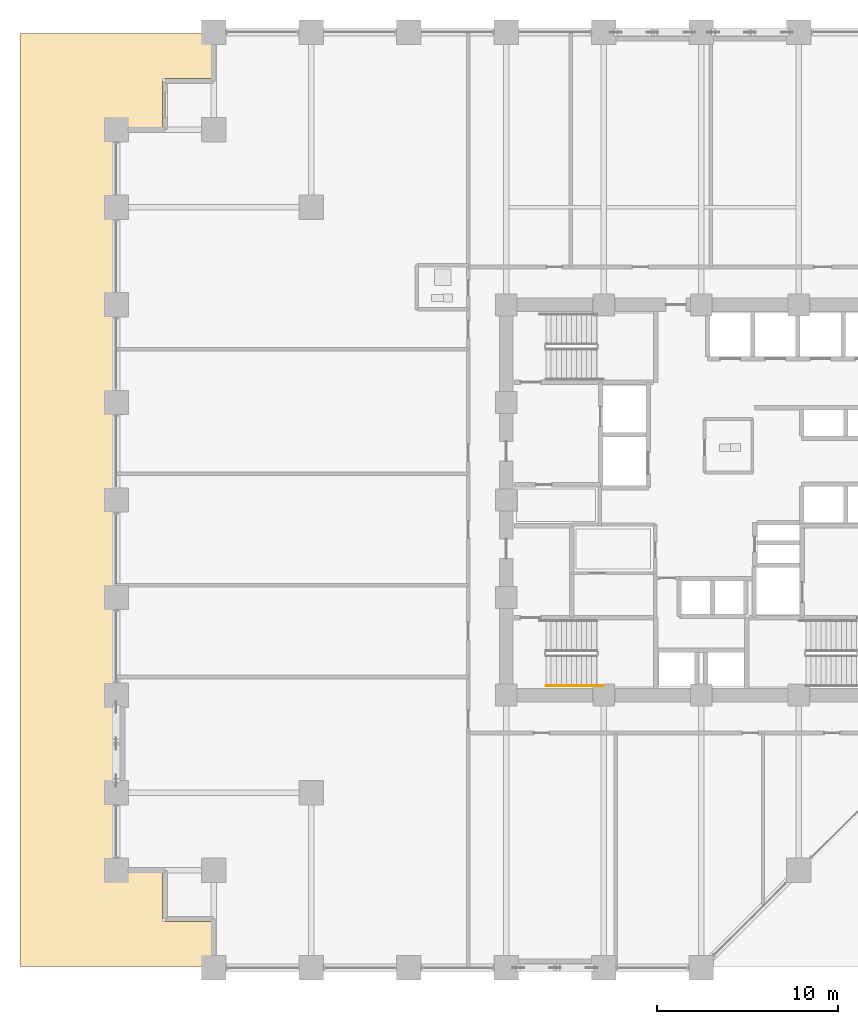
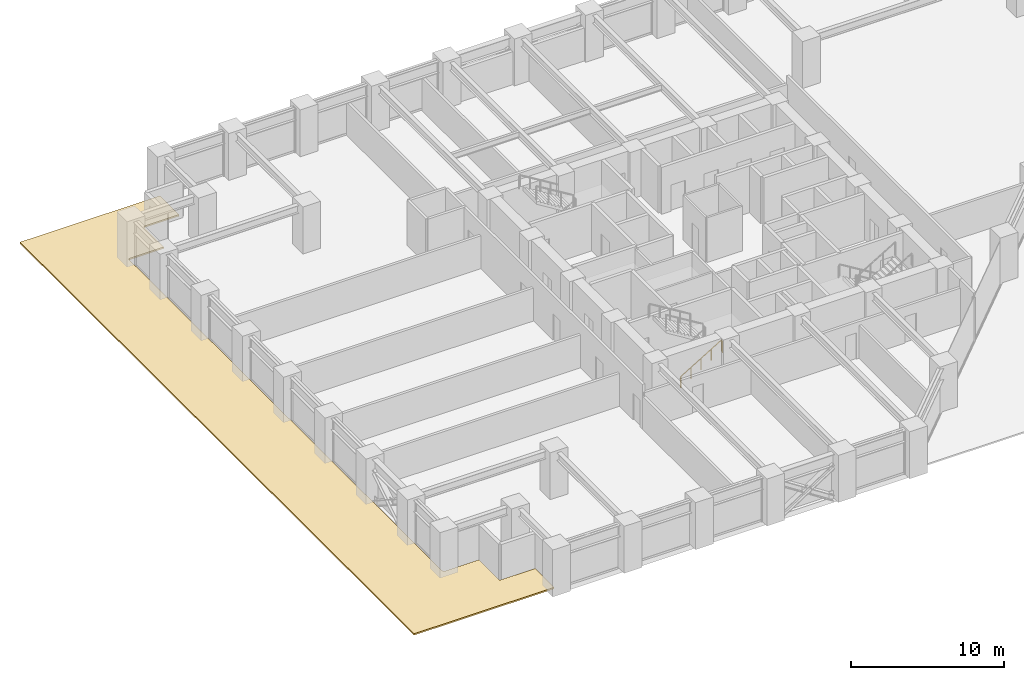
# One storey, part 23 of 27: 1 covering, 1 railing.
"""IFC4 building model written with IfcOpenShell, lengths in metres."""

from ifc_helpers import new_model, si_unit, direction, frame, origin, origin_2d, place, context, subcontext, project, spatial, polyline, circle, outline, extrude, material, layer, layer_set, type_object, element, save


model = new_model("IFC4")

# Units and contexts
model_context = context("Model", 3, precision=1e-05, world=origin(), true_north=direction((0.0, 1.0)))
body_context = subcontext(model_context, "Body", "Model", "MODEL_VIEW")
ifc_project = project(units=[si_unit("LENGTHUNIT", "METRE"), si_unit("AREAUNIT", "SQUARE_METRE"), si_unit("VOLUMEUNIT", "CUBIC_METRE"), si_unit("PLANEANGLEUNIT", "RADIAN"), si_unit("MASSUNIT", "GRAM", prefix="KILO")], contexts=[model_context])

# Site, building, storey
site_placement = place(None, origin())
site = spatial("IfcSite", under=ifc_project, at=site_placement, CompositionType="ELEMENT")
building_placement = place(site_placement, origin())
building = spatial("IfcBuilding", under=site, at=building_placement, Name="Surkhivell Harbour Commons", CompositionType="ELEMENT")
storey_placement = place(building_placement, frame((0.0, 0.0, 22.5)))
storey = spatial("IfcBuildingStorey", under=building, at=storey_placement, Name="L05", CompositionType="ELEMENT", Elevation=22.5)

# Covering
ifc_material_1 = material(Name="Inverted elastomeric waterproofing membrane and rigid insulation", Category="other")
ifc_layer = layer(ifc_material_1, 0.1201171875)
ifc_layer_set = layer_set([ifc_layer], Name="Inverted elastomeric waterproofing membrane and rigid insulation")
covering_type = type_object("IfcCoveringType", Name="COV-ROOF-MEM", PredefinedType="ROOFING", material=ifc_layer_set)
covering_placement = place(storey_placement, origin())
element("IfcCovering", 1, at=covering_placement, inside=storey, type_object=covering_type, Name="L05 Setback Waterproofing Roof Membrane 1-1", PredefinedType="ROOFING", context=body_context, shape_type="SweptSolid", body=[
    extrude(outline(polyline([(-27.1298828125, -25.820068359375), (-27.1298828125, -23.330078125), (-29.701904296875, -23.330078125), (-29.712890625, -23.32958984375), (-29.725341796875, -23.32763671875), (-29.73779296875, -23.324462890625), (-29.749755859375, -23.3203125), (-29.76123046875, -23.314697265625), (-29.772216796875, -23.30810546875), (-29.782470703125, -23.300537109375), (-29.7919921875, -23.2919921875), (-29.800537109375, -23.282470703125), (-29.80810546875, -23.272216796875), (-29.814697265625, -23.26123046875), (-29.8203125, -23.249755859375), (-29.824462890625, -23.23779296875), (-29.82763671875, -23.225341796875), (-29.82958984375, -23.212890625), (-29.830078125, -23.201904296875), (-29.830078125, -20.6298828125), (-32.402099609375, -20.6298828125), (-32.412841796875, -20.62939453125), (-32.42529296875, -20.627685546875), (-32.437744140625, -20.62451171875), (-32.44970703125, -20.6201171875), (-32.461181640625, -20.61474609375), (-32.472412109375, -20.608154296875), (-32.482421875, -20.6005859375), (-32.491943359375, -20.592041015625), (-32.50048828125, -20.58251953125), (-32.50830078125, -20.572265625), (-32.5146484375, -20.561279296875), (-32.520263671875, -20.5498046875), (-32.5244140625, -20.537841796875), (-32.527587890625, -20.525390625), (-32.529541015625, -20.5126953125), (-32.530029296875, -20.501953125), (-32.530029296875, 20.501953125), (-32.529541015625, 20.5126953125), (-32.527587890625, 20.525390625), (-32.5244140625, 20.537841796875), (-32.520263671875, 20.5498046875), (-32.5146484375, 20.561279296875), (-32.50830078125, 20.572265625), (-32.50048828125, 20.58251953125), (-32.491943359375, 20.592041015625), (-32.482421875, 20.6005859375), (-32.472412109375, 20.608154296875), (-32.461181640625, 20.61474609375), (-32.44970703125, 20.6201171875), (-32.437744140625, 20.62451171875), (-32.42529296875, 20.627685546875), (-32.412841796875, 20.62939453125), (-32.402099609375, 20.6298828125), (-29.830078125, 20.6298828125), (-29.830078125, 23.201904296875), (-29.82958984375, 23.212890625), (-29.82763671875, 23.225341796875), (-29.824462890625, 23.23779296875), (-29.8203125, 23.249755859375), (-29.814697265625, 23.26123046875), (-29.80810546875, 23.272216796875), (-29.800537109375, 23.282470703125), (-29.7919921875, 23.2919921875), (-29.782470703125, 23.300537109375), (-29.772216796875, 23.30810546875), (-29.76123046875, 23.314697265625), (-29.749755859375, 23.3203125), (-29.73779296875, 23.324462890625), (-29.725341796875, 23.32763671875), (-29.712890625, 23.32958984375), (-29.701904296875, 23.330078125), (-27.1298828125, 23.330078125), (-27.1298828125, 25.820068359375), (-37.719970703125, 25.820068359375), (-37.719970703125, -25.820068359375), (-27.1298828125, -25.820068359375)])), origin(), (0.0, 0.0, 1.0), 0.1201171875),
])

# Railing
ifc_material_2 = material(Name="Brushed stainless steel S355 handrail", Category="steel")
railing_type = type_object("IfcRailingType", Name="RAL-ST-HND900", PredefinedType="HANDRAIL", material=ifc_material_2)
railing_placement = place(storey_placement, frame((-8.590087890625, -10.2900390625, 0.17041015625)))
element("IfcRailing", 2, at=railing_placement, inside=storey, type_object=railing_type, Name="L05 ST3 stair handrail 1", PredefinedType="HANDRAIL", context=body_context, shape_type="SweptSolid", body=[
    extrude(circle(Radius=0.02392578125, at=origin_2d()), frame((0.0, 0.0, 0.8759765625), z_axis=(0.854177636135, 0.0, 0.519981313056), x_axis=(0.0, 1.0, 0.0)), (0.0, 0.0, 1.0), 3.60595703125),
    extrude(circle(Radius=0.02392578125, at=origin_2d()), frame((3.080078125, 0.0, 2.7509765625), z_axis=(0.425297416671, 0.0, -0.905053648892), x_axis=(0.0, 1.0, 0.0)), (0.0, 0.0, 1.0), 0.188232421875),
    extrude(circle(Radius=0.02099609375, at=origin_2d()), origin(), (0.0, 0.0, 1.0), 0.851806640625),
    extrude(circle(Radius=0.02099609375, at=origin_2d()), frame((0.77001953125, 0.0, 0.46875)), (0.0, 0.0, 1.0), 0.851806640625),
    extrude(circle(Radius=0.02099609375, at=origin_2d()), frame((1.5400390625, 0.0, 0.9375)), (0.0, 0.0, 1.0), 0.851806640625),
    extrude(circle(Radius=0.02099609375, at=origin_2d()), frame((2.31005859375, 0.0, 1.40625)), (0.0, 0.0, 1.0), 0.851806640625),
    extrude(circle(Radius=0.02099609375, at=origin_2d()), frame((3.080078125, 0.0, 1.875)), (0.0, 0.0, 1.0), 0.851806640625),
    extrude(circle(Radius=0.02099609375, at=origin_2d()), frame((3.16015625, 0.0, 1.70458984375)), (0.0, 0.0, 1.0), 0.851806640625),
])

save(model, "model.ifc")
